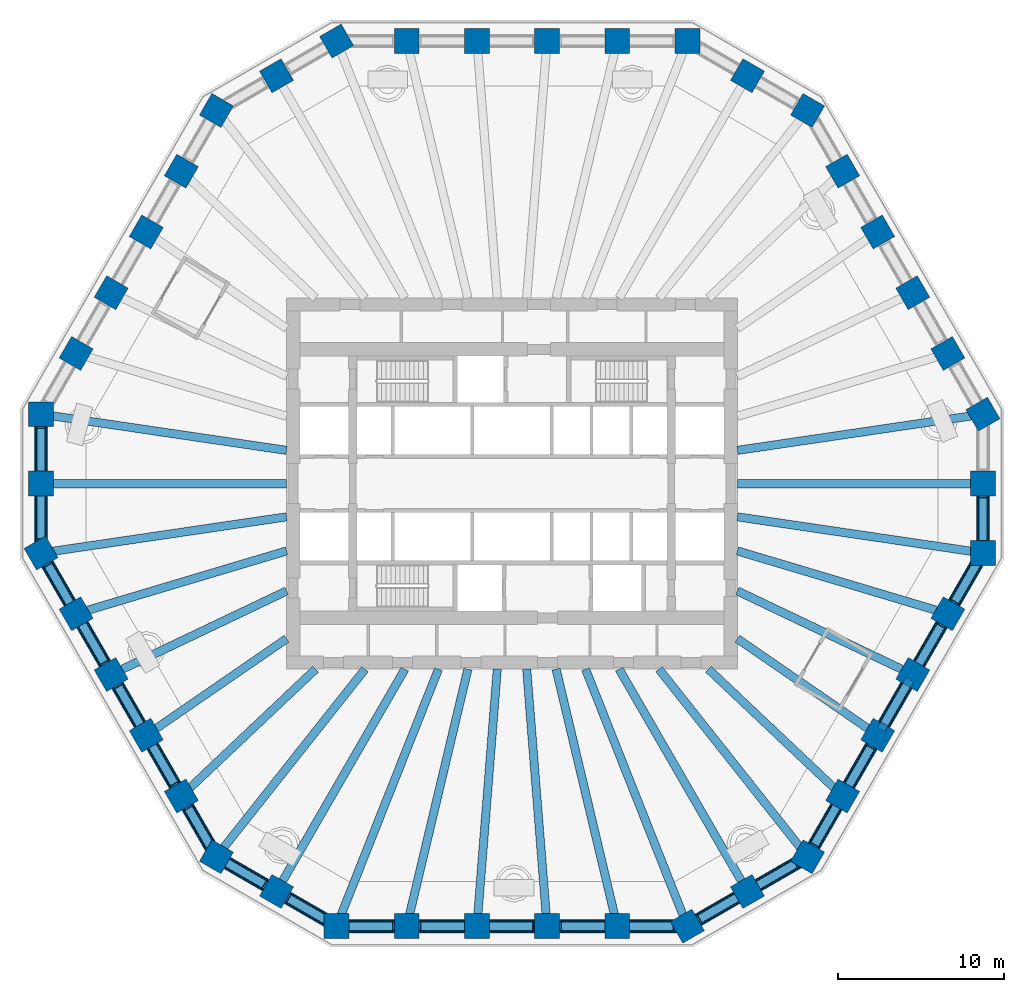
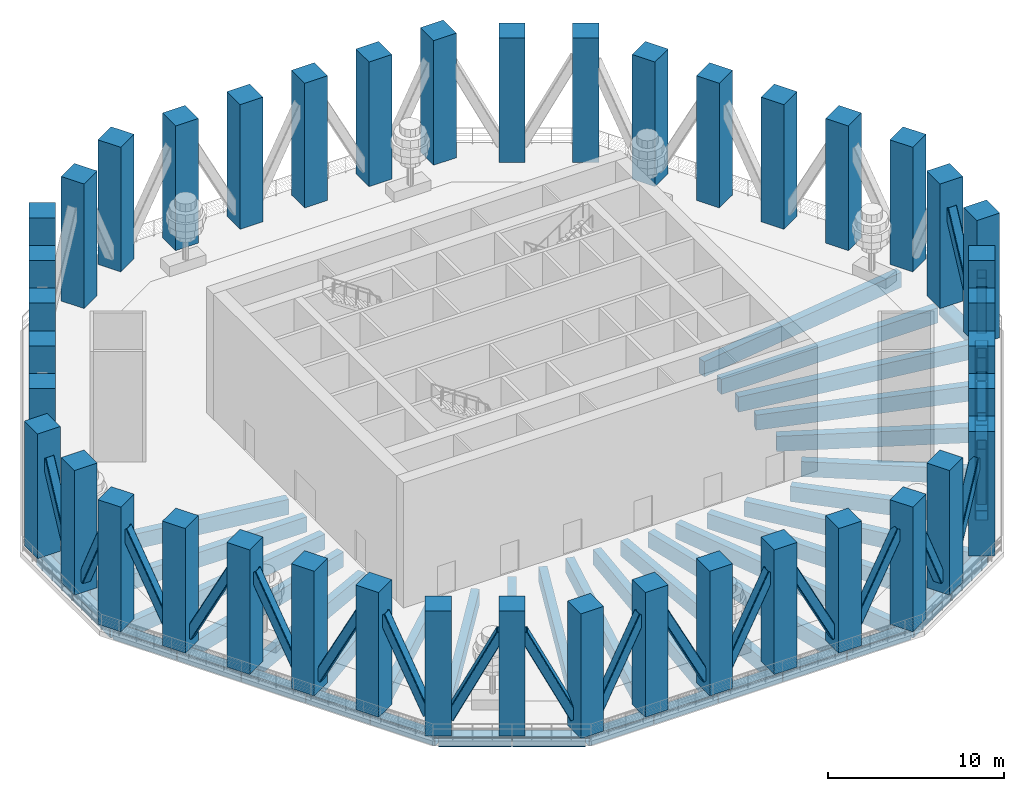
# One storey, part 1 of 10: 46 beams, 42 columns, 23 members.
"""IFC4 building model written with IfcOpenShell, lengths in metres."""

from ifc_helpers import new_model, si_unit, direction, frame, origin, origin_2d, place, context, subcontext, project, spatial, rectangle, hollow_rectangle, extrude, material, material_profile, profile_set, type_object, element, save


model = new_model("IFC4")

# Units and contexts
model_context = context("Model", 3, precision=1e-05, world=origin(), true_north=direction((0.0, 1.0)))
body_context = subcontext(model_context, "Body", "Model", "MODEL_VIEW")
ifc_project = project(units=[si_unit("LENGTHUNIT", "METRE"), si_unit("AREAUNIT", "SQUARE_METRE"), si_unit("VOLUMEUNIT", "CUBIC_METRE"), si_unit("PLANEANGLEUNIT", "RADIAN"), si_unit("MASSUNIT", "GRAM", prefix="KILO")], contexts=[model_context])

# Site, building, storey
site_placement = place(None, origin())
site = spatial("IfcSite", under=ifc_project, at=site_placement, CompositionType="ELEMENT")
building_placement = place(site_placement, origin())
building = spatial("IfcBuilding", under=site, at=building_placement, Name="Frailejon Research Tower", CompositionType="ELEMENT")
storey_placement = place(building_placement, frame((0.0, 0.0, 71.800048828125)))
storey = spatial("IfcBuildingStorey", under=building, at=storey_placement, Name="L16", CompositionType="ELEMENT", Elevation=71.800048828125)

# Columns
ifc_material_1 = material(Name="Concrete C70/85", Category="concrete")
ifc_material_profile_1 = material_profile(ifc_material_1, rectangle(XDim=1.5, YDim=1.5, at=origin_2d()), Name="Column 1500")
ifc_profile_set_1 = profile_set([ifc_material_profile_1], Name="Concrete C70/85")
column_type = type_object("IfcColumnType", Name="Column 1500", PredefinedType="COLUMN", material=ifc_profile_set_1)
for number, where, z_axis, x_axis, name in (
    (1, (28.412841796875, -4.1875, 0.0), (0.0, 0.0, 1.0), (0.0, 1.0, 0.0), "Column C01"),
    (2, (28.412841796875, 0.0, 0.0), (0.0, 0.0, 1.0), (0.0, 1.0, 0.0), "Column C02"),
    (3, (28.412841796875, 4.1875, 0.0), (0.0, 0.0, 1.0), (-0.5, 0.866025403784, 0.0), "Column C03"),
    (4, (26.296875, 7.8525390625, 0.0), (0.0, 0.0, 1.0), (-0.5, 0.866025403784, 0.0), "Column C04"),
    (5, (24.180908203125, 11.517578125, 0.0), (0.0, 0.0, 1.0), (-0.5, 0.866025403784, 0.0), "Column C05"),
    (6, (22.06494140625, 15.1826171875, 0.0), (0.0, 0.0, 1.0), (-0.5, 0.866025403784, 0.0), "Column C06"),
    (7, (19.948974609375, 18.847412109375, 0.0), (0.0, 0.0, 1.0), (-0.5, 0.866025403784, 0.0), "Column C07"),
    (8, (17.8330078125, 22.512451171875, 0.0), (0.0, 0.0, 1.0), (-0.866025403784, 0.5, 0.0), "Column C08"),
    (9, (14.206298828125, 24.606201171875, 0.0), (0.0, 0.0, 1.0), (-0.866025403784, 0.5, 0.0), "Column C09"),
    (10, (10.579833984375, 26.699951171875, 0.0), (0.0, 0.0, 1.0), (-1.0, 0.0, 0.0), "Column C10"),
    (11, (6.347900390625, 26.699951171875, 0.0), (0.0, 0.0, 1.0), (-1.0, 0.0, 0.0), "Column C11"),
    (12, (2.115966796875, 26.699951171875, 0.0), (0.0, 0.0, 1.0), (-1.0, 0.0, 0.0), "Column C12"),
    (13, (-2.115966796875, 26.699951171875, 0.0), (0.0, 0.0, 1.0), (-1.0, 0.0, 0.0), "Column C13"),
    (14, (-6.347900390625, 26.699951171875, 0.0), (0.0, 0.0, 1.0), (-1.0, 0.0, 0.0), "Column C14"),
    (15, (-10.579833984375, 26.699951171875, 0.0), (0.0, 0.0, 1.0), (-0.866025403784, -0.5, 0.0), "Column C15"),
    (16, (-14.206298828125, 24.606201171875, 0.0), (0.0, 0.0, 1.0), (-0.866025403784, -0.5, 0.0), "Column C16"),
    (17, (-17.8330078125, 22.512451171875, 0.0), (0.0, 0.0, 1.0), (-0.5, -0.866025403784, 0.0), "Column C17"),
    (18, (-19.948974609375, 18.847412109375, 0.0), (0.0, 0.0, 1.0), (-0.5, -0.866025403784, 0.0), "Column C18"),
    (19, (-22.06494140625, 15.1826171875, 0.0), (0.0, 0.0, 1.0), (-0.5, -0.866025403784, 0.0), "Column C19"),
    (20, (-24.180908203125, 11.517578125, 0.0), (0.0, 0.0, 1.0), (-0.5, -0.866025403784, 0.0), "Column C20"),
    (21, (-26.296875, 7.8525390625, 0.0), (0.0, 0.0, 1.0), (-0.5, -0.866025403784, 0.0), "Column C21"),
    (22, (-28.412841796875, 4.1875, 0.0), (0.0, 0.0, 1.0), (0.0, -1.0, 0.0), "Column C22"),
    (23, (-28.412841796875, 0.0, 0.0), (0.0, 0.0, 1.0), (0.0, -1.0, 0.0), "Column C23"),
    (24, (-28.412841796875, -4.1875, 0.0), (0.0, 0.0, 1.0), (0.5, -0.866025403784, 0.0), "Column C24"),
    (25, (-26.296875, -7.8525390625, 0.0), (0.0, 0.0, 1.0), (0.5, -0.866025403784, 0.0), "Column C25"),
    (26, (-24.180908203125, -11.517578125, 0.0), (0.0, 0.0, 1.0), (0.5, -0.866025403784, 0.0), "Column C26"),
    (27, (-22.06494140625, -15.1826171875, 0.0), (0.0, 0.0, 1.0), (0.5, -0.866025403784, 0.0), "Column C27"),
    (28, (-19.948974609375, -18.847412109375, 0.0), (0.0, 0.0, 1.0), (0.5, -0.866025403784, 0.0), "Column C28"),
    (29, (-17.8330078125, -22.512451171875, 0.0), (0.0, 0.0, 1.0), (0.866025403784, -0.5, 0.0), "Column C29"),
    (30, (-14.206298828125, -24.606201171875, 0.0), (0.0, 0.0, 1.0), (0.866025403784, -0.5, 0.0), "Column C30"),
    (31, (-10.579833984375, -26.699951171875, 0.0), (0.0, 0.0, 1.0), (1.0, 0.0, 0.0), "Column C31"),
    (32, (-6.347900390625, -26.699951171875, 0.0), (0.0, 0.0, 1.0), (1.0, 0.0, 0.0), "Column C32"),
    (33, (-2.115966796875, -26.699951171875, 0.0), (0.0, 0.0, 1.0), (1.0, 0.0, 0.0), "Column C33"),
    (34, (2.115966796875, -26.699951171875, 0.0), (0.0, 0.0, 1.0), (1.0, 0.0, 0.0), "Column C34"),
    (35, (6.347900390625, -26.699951171875, 0.0), (0.0, 0.0, 1.0), (1.0, 0.0, 0.0), "Column C35"),
    (36, (10.579833984375, -26.699951171875, 0.0), (0.0, 0.0, 1.0), (0.866025403784, 0.5, 0.0), "Column C36"),
    (37, (14.206298828125, -24.606201171875, 0.0), (0.0, 0.0, 1.0), (0.866025403784, 0.5, 0.0), "Column C37"),
    (38, (17.8330078125, -22.512451171875, 0.0), (0.0, 0.0, 1.0), (0.5, 0.866025403784, 0.0), "Column C38"),
    (39, (19.948974609375, -18.847412109375, 0.0), (0.0, 0.0, 1.0), (0.5, 0.866025403784, 0.0), "Column C39"),
    (40, (22.06494140625, -15.1826171875, 0.0), (0.0, 0.0, 1.0), (0.5, 0.866025403784, 0.0), "Column C40"),
    (41, (24.180908203125, -11.517578125, 0.0), (0.0, 0.0, 1.0), (0.5, 0.866025403784, 0.0), "Column C41"),
    (42, (26.296875, -7.8525390625, 0.0), (0.0, 0.0, 1.0), (0.5, 0.866025403784, 0.0), "Column C42"),
):
    element("IfcColumn", number, at=place(storey_placement, frame(where, z_axis=z_axis, x_axis=x_axis)), inside=storey, type_object=column_type, Name=name, PredefinedType="COLUMN", context=body_context, shape_type="SweptSolid", body=[
        extrude(rectangle(XDim=1.5, YDim=1.5, at=origin_2d()), origin(), (0.0, 0.0, 1.0), 8.64990234375),
    ])

# Beams
ifc_material_2 = material(Name="Concrete C60/75", Category="concrete")
ifc_material_profile_2 = material_profile(ifc_material_2, rectangle(XDim=0.5, YDim=1.050048828125, at=origin_2d()), Name="Girder 500x1050")
ifc_profile_set_2 = profile_set([ifc_material_profile_2], Name="Concrete C60/75")
beam_type_1 = type_object("IfcBeamType", Name="Girder 500x1050", PredefinedType="BEAM", material=ifc_profile_set_2)
beam_1_placement = place(storey_placement, frame((27.811279296875, -4.098876953125, -0.824951171875), z_axis=(-0.98931296221, 0.145807622581, 0.0), x_axis=(-0.145807622581, -0.98931296221, 0.0)))
element("IfcBeam", 43, at=beam_1_placement, inside=storey, type_object=beam_type_1, Name="Girder 500x1050", PredefinedType="BEAM", context=body_context, shape_type="SweptSolid", body=[
    extrude(rectangle(XDim=0.5, YDim=1.050048828125, at=origin_2d()), origin(), (0.0, 0.0, 1.0), 14.36474609375),
])
beam_2_placement = place(storey_placement, frame((27.812744140625, 0.0, -0.824951171875), z_axis=(-1.0, 0.0, 0.0), x_axis=(0.0, -1.0, 0.0)))
element("IfcBeam", 44, at=beam_2_placement, inside=storey, type_object=beam_type_1, Name="Girder 500x1050", PredefinedType="BEAM", context=body_context, shape_type="SweptSolid", body=[
    extrude(rectangle(XDim=0.5, YDim=1.050048828125, at=origin_2d()), origin(), (0.0, 0.0, 1.0), 14.212646484375),
])
beam_3_placement = place(storey_placement, frame((27.76318359375, 4.091796875, -0.824951171875), z_axis=(-0.989312877604, -0.145808196641, 0.0), x_axis=(0.145808196641, -0.989312877604, 0.0)))
element("IfcBeam", 45, at=beam_3_placement, inside=storey, type_object=beam_type_1, Name="Girder 500x1050", PredefinedType="BEAM", context=body_context, shape_type="SweptSolid", body=[
    extrude(rectangle(XDim=0.5, YDim=1.050048828125, at=origin_2d()), origin(), (0.0, 0.0, 1.0), 14.316162109375),
])
beam_4_placement = place(storey_placement, frame((-27.811279296875, 4.098876953125, -0.824951171875), z_axis=(0.98931296221, -0.145807622581, 0.0), x_axis=(0.145807622581, 0.98931296221, 0.0)))
element("IfcBeam", 46, at=beam_4_placement, inside=storey, type_object=beam_type_1, Name="Girder 500x1050", PredefinedType="BEAM", context=body_context, shape_type="SweptSolid", body=[
    extrude(rectangle(XDim=0.5, YDim=1.050048828125, at=origin_2d()), origin(), (0.0, 0.0, 1.0), 14.36474609375),
])
beam_5_placement = place(storey_placement, frame((-27.812744140625, 0.0, -0.824951171875), z_axis=(1.0, 0.0, 0.0), x_axis=(0.0, 1.0, 0.0)))
element("IfcBeam", 47, at=beam_5_placement, inside=storey, type_object=beam_type_1, Name="Girder 500x1050", PredefinedType="BEAM", context=body_context, shape_type="SweptSolid", body=[
    extrude(rectangle(XDim=0.5, YDim=1.050048828125, at=origin_2d()), origin(), (0.0, 0.0, 1.0), 14.212646484375),
])
beam_6_placement = place(storey_placement, frame((-27.76318359375, -4.091796875, -0.824951171875), z_axis=(0.989312877604, 0.145808196641, 0.0), x_axis=(-0.145808196641, 0.989312877604, 0.0)))
element("IfcBeam", 48, at=beam_6_placement, inside=storey, type_object=beam_type_1, Name="Girder 500x1050", PredefinedType="BEAM", context=body_context, shape_type="SweptSolid", body=[
    extrude(rectangle(XDim=0.5, YDim=1.050048828125, at=origin_2d()), origin(), (0.0, 0.0, 1.0), 14.316162109375),
])
beam_7_placement = place(storey_placement, frame((-25.701904296875, -7.6748046875, -0.824951171875), z_axis=(0.958191015444, 0.286129302802, 0.0), x_axis=(-0.286129302802, 0.958191015444, 0.0)))
element("IfcBeam", 49, at=beam_7_placement, inside=storey, type_object=beam_type_1, Name="Girder 500x1050", PredefinedType="BEAM", context=body_context, shape_type="SweptSolid", body=[
    extrude(rectangle(XDim=0.5, YDim=1.050048828125, at=origin_2d()), origin(), (0.0, 0.0, 1.0), 12.6298828125),
])
beam_8_placement = place(storey_placement, frame((-23.63720703125, -11.258544921875, -0.824951171875), z_axis=(0.902819111329, 0.430020525346, 0.0), x_axis=(-0.430020525346, 0.902819111329, 0.0)))
element("IfcBeam", 50, at=beam_8_placement, inside=storey, type_object=beam_type_1, Name="Girder 500x1050", PredefinedType="BEAM", context=body_context, shape_type="SweptSolid", body=[
    extrude(rectangle(XDim=0.5, YDim=1.050048828125, at=origin_2d()), origin(), (0.0, 0.0, 1.0), 11.117431640625),
])
beam_9_placement = place(storey_placement, frame((-21.568603515625, -14.841064453125, -0.824951171875), z_axis=(0.823809874317, 0.566866202007, 0.0), x_axis=(-0.566866202007, 0.823809874317, 0.0)))
element("IfcBeam", 51, at=beam_9_placement, inside=storey, type_object=beam_type_1, Name="Girder 500x1050", PredefinedType="BEAM", context=body_context, shape_type="SweptSolid", body=[
    extrude(rectangle(XDim=0.5, YDim=1.050048828125, at=origin_2d()), origin(), (0.0, 0.0, 1.0), 9.6728515625),
])
beam_10_placement = place(storey_placement, frame((-19.49755859375, -18.421142578125, -0.824951171875), z_axis=(0.726883069611, 0.686761241709, 0.0), x_axis=(-0.686761241709, 0.726883069611, 0.0)))
element("IfcBeam", 52, at=beam_10_placement, inside=storey, type_object=beam_type_1, Name="Girder 500x1050", PredefinedType="BEAM", context=body_context, shape_type="SweptSolid", body=[
    extrude(rectangle(XDim=0.5, YDim=1.050048828125, at=origin_2d()), origin(), (0.0, 0.0, 1.0), 10.514892578125),
])
beam_11_placement = place(storey_placement, frame((-17.455322265625, -22.03564453125, -0.824951171875), z_axis=(0.620935887758, 0.783861354638, 0.0), x_axis=(-0.783861354638, 0.620935887758, 0.0)))
element("IfcBeam", 53, at=beam_11_placement, inside=storey, type_object=beam_type_1, Name="Girder 500x1050", PredefinedType="BEAM", context=body_context, shape_type="SweptSolid", body=[
    extrude(rectangle(XDim=0.5, YDim=1.050048828125, at=origin_2d()), origin(), (0.0, 0.0, 1.0), 13.823486328125),
])
beam_12_placement = place(storey_placement, frame((-13.906494140625, -24.086669921875, -0.824951171875), z_axis=(0.500001764457, 0.866024385072, 0.0), x_axis=(-0.866024385072, 0.500001764457, 0.0)))
element("IfcBeam", 54, at=beam_12_placement, inside=storey, type_object=beam_type_1, Name="Girder 500x1050", PredefinedType="BEAM", context=body_context, shape_type="SweptSolid", body=[
    extrude(rectangle(XDim=0.5, YDim=1.050048828125, at=origin_2d()), origin(), (0.0, 0.0, 1.0), 14.88037109375),
])
beam_13_placement = place(storey_placement, frame((-10.337890625, -26.089599609375, -0.824951171875), z_axis=(0.368376797472, 0.929676575528, 0.0), x_axis=(-0.929676575528, 0.368376797472, 0.0)))
element("IfcBeam", 55, at=beam_13_placement, inside=storey, type_object=beam_type_1, Name="Girder 500x1050", PredefinedType="BEAM", context=body_context, shape_type="SweptSolid", body=[
    extrude(rectangle(XDim=0.5, YDim=1.050048828125, at=origin_2d()), origin(), (0.0, 0.0, 1.0), 16.015869140625),
])
beam_14_placement = place(storey_placement, frame((-6.204345703125, -26.095947265625, -0.824951171875), z_axis=(0.231301473426, 0.972882124613, 0.0), x_axis=(-0.972882124613, 0.231301473426, 0.0)))
element("IfcBeam", 56, at=beam_14_placement, inside=storey, type_object=beam_type_1, Name="Girder 500x1050", PredefinedType="BEAM", context=body_context, shape_type="SweptSolid", body=[
    extrude(rectangle(XDim=0.5, YDim=1.050048828125, at=origin_2d()), origin(), (0.0, 0.0, 1.0), 15.311279296875),
])
for number, where, z_axis, x_axis, name in (
    (57, (-2.068359375, -26.099609375, -0.824951171875), (0.078993399407, 0.996875139047, 0.0), (-0.996875139047, 0.078993399407, 0.0), "Girder 500x1050"),
    (58, (2.068359375, -26.099609375, -0.824951171875), (-0.078993399407, 0.996875139047, 0.0), (-0.996875139047, -0.078993399407, 0.0), "Girder 500x1050"),
):
    element("IfcBeam", number, at=place(storey_placement, frame(where, z_axis=z_axis, x_axis=x_axis)), inside=storey, type_object=beam_type_1, Name=name, PredefinedType="BEAM", context=body_context, shape_type="SweptSolid", body=[
        extrude(rectangle(XDim=0.5, YDim=1.050048828125, at=origin_2d()), origin(), (0.0, 0.0, 1.0), 14.9462890625),
    ])
beam_15_placement = place(storey_placement, frame((6.204345703125, -26.095947265625, -0.824951171875), z_axis=(-0.231301473426, 0.972882124613, 0.0), x_axis=(-0.972882124613, -0.231301473426, 0.0)))
element("IfcBeam", 59, at=beam_15_placement, inside=storey, type_object=beam_type_1, Name="Girder 500x1050", PredefinedType="BEAM", context=body_context, shape_type="SweptSolid", body=[
    extrude(rectangle(XDim=0.5, YDim=1.050048828125, at=origin_2d()), origin(), (0.0, 0.0, 1.0), 15.311279296875),
])
beam_16_placement = place(storey_placement, frame((10.35595703125, -26.134765625, -0.824951171875), z_axis=(-0.368385929669, 0.929672956916, 0.0), x_axis=(-0.929672956916, -0.368385929669, 0.0)))
element("IfcBeam", 60, at=beam_16_placement, inside=storey, type_object=beam_type_1, Name="Girder 500x1050", PredefinedType="BEAM", context=body_context, shape_type="SweptSolid", body=[
    extrude(rectangle(XDim=0.5, YDim=1.050048828125, at=origin_2d()), origin(), (0.0, 0.0, 1.0), 16.064697265625),
])
beam_17_placement = place(storey_placement, frame((13.906494140625, -24.086669921875, -0.824951171875), z_axis=(-0.500001764457, 0.866024385072, 0.0), x_axis=(-0.866024385072, -0.500001764457, 0.0)))
element("IfcBeam", 61, at=beam_17_placement, inside=storey, type_object=beam_type_1, Name="Girder 500x1050", PredefinedType="BEAM", context=body_context, shape_type="SweptSolid", body=[
    extrude(rectangle(XDim=0.5, YDim=1.050048828125, at=origin_2d()), origin(), (0.0, 0.0, 1.0), 14.88037109375),
])
beam_18_placement = place(storey_placement, frame((17.425048828125, -21.99755859375, -0.824951171875), z_axis=(-0.620931264057, 0.783865017281, 0.0), x_axis=(-0.783865017281, -0.620931264057, 0.0)))
element("IfcBeam", 62, at=beam_18_placement, inside=storey, type_object=beam_type_1, Name="Girder 500x1050", PredefinedType="BEAM", context=body_context, shape_type="SweptSolid", body=[
    extrude(rectangle(XDim=0.5, YDim=1.050048828125, at=origin_2d()), origin(), (0.0, 0.0, 1.0), 13.77490234375),
])
beam_19_placement = place(storey_placement, frame((19.49755859375, -18.421142578125, -0.824951171875), z_axis=(-0.726883069611, 0.686761241709, 0.0), x_axis=(-0.686761241709, -0.726883069611, 0.0)))
element("IfcBeam", 63, at=beam_19_placement, inside=storey, type_object=beam_type_1, Name="Girder 500x1050", PredefinedType="BEAM", context=body_context, shape_type="SweptSolid", body=[
    extrude(rectangle(XDim=0.5, YDim=1.050048828125, at=origin_2d()), origin(), (0.0, 0.0, 1.0), 10.514892578125),
])
beam_20_placement = place(storey_placement, frame((21.568603515625, -14.841064453125, -0.824951171875), z_axis=(-0.823809874317, 0.566866202007, 0.0), x_axis=(-0.566866202007, -0.823809874317, 0.0)))
element("IfcBeam", 64, at=beam_20_placement, inside=storey, type_object=beam_type_1, Name="Girder 500x1050", PredefinedType="BEAM", context=body_context, shape_type="SweptSolid", body=[
    extrude(rectangle(XDim=0.5, YDim=1.050048828125, at=origin_2d()), origin(), (0.0, 0.0, 1.0), 9.6728515625),
])
beam_21_placement = place(storey_placement, frame((23.63720703125, -11.258544921875, -0.824951171875), z_axis=(-0.902819111329, 0.430020525346, 0.0), x_axis=(-0.430020525346, -0.902819111329, 0.0)))
element("IfcBeam", 65, at=beam_21_placement, inside=storey, type_object=beam_type_1, Name="Girder 500x1050", PredefinedType="BEAM", context=body_context, shape_type="SweptSolid", body=[
    extrude(rectangle(XDim=0.5, YDim=1.050048828125, at=origin_2d()), origin(), (0.0, 0.0, 1.0), 11.117431640625),
])
beam_22_placement = place(storey_placement, frame((25.701904296875, -7.6748046875, -0.824951171875), z_axis=(-0.958191015444, 0.286129302802, 0.0), x_axis=(-0.286129302802, -0.958191015444, 0.0)))
element("IfcBeam", 66, at=beam_22_placement, inside=storey, type_object=beam_type_1, Name="Girder 500x1050", PredefinedType="BEAM", context=body_context, shape_type="SweptSolid", body=[
    extrude(rectangle(XDim=0.5, YDim=1.050048828125, at=origin_2d()), origin(), (0.0, 0.0, 1.0), 12.6298828125),
])
ifc_material_3 = material(Name="Steel S355", Category="steel")
ifc_material_profile_3 = material_profile(ifc_material_3, hollow_rectangle(XDim=0.800048828125, YDim=0.699951171875, WallThickness=0.050048828125, InnerFilletRadius=0.050048828125, OuterFilletRadius=0.10009765625, at=origin_2d()), Name="Ring chord")
ifc_profile_set_3 = profile_set([ifc_material_profile_3], Name="Steel S355")
beam_type_2 = type_object("IfcBeamType", Name="Ring chord", PredefinedType="BEAM", material=ifc_profile_set_3)
for number, where, z_axis, x_axis, name in (
    (67, (28.412841796875, -4.16748046875, -0.699951171875), (0.0, 1.0, 0.0), (-1.0, 0.0, 0.0), "Ring chord"),
    (68, (-28.412841796875, 4.16748046875, -0.699951171875), (0.0, -1.0, 0.0), (1.0, 0.0, 0.0), "Ring chord"),
    (69, (-28.412841796875, -0.02001953125, -0.699951171875), (0.0, -1.0, 0.0), (1.0, 0.0, 0.0), "Ring chord"),
):
    element("IfcBeam", number, at=place(storey_placement, frame(where, z_axis=z_axis, x_axis=x_axis)), inside=storey, type_object=beam_type_2, Name=name, PredefinedType="BEAM", context=body_context, shape_type="SweptSolid", body=[
        extrude(hollow_rectangle(XDim=0.800048828125, YDim=0.699951171875, WallThickness=0.050048828125, InnerFilletRadius=0.050048828125, OuterFilletRadius=0.10009765625, at=origin_2d()), origin(), (0.0, 0.0, 1.0), 4.1474609375),
    ])
for number, where, z_axis, x_axis, name in (
    (70, (-28.40283203125, -4.204833984375, -0.699951171875), (0.499991329354, -0.866030409726, 0.0), (0.866030409726, 0.499991329354, 0.0), "Ring chord"),
    (71, (-26.286865234375, -7.869873046875, -0.699951171875), (0.499991329354, -0.866030409726, 0.0), (0.866030409726, 0.499991329354, 0.0), "Ring chord"),
    (72, (-24.1708984375, -11.534912109375, -0.699951171875), (0.499991329354, -0.866030409726, 0.0), (0.866030409726, 0.499991329354, 0.0), "Ring chord"),
    (73, (-22.054931640625, -15.19970703125, -0.699951171875), (0.499991329354, -0.866030409726, 0.0), (0.866030409726, 0.499991329354, 0.0), "Ring chord"),
    (74, (-19.93896484375, -18.86474609375, -0.699951171875), (0.499991329354, -0.866030409726, 0.0), (0.866030409726, 0.499991329354, 0.0), "Ring chord"),
):
    element("IfcBeam", number, at=place(storey_placement, frame(where, z_axis=z_axis, x_axis=x_axis)), inside=storey, type_object=beam_type_2, Name=name, PredefinedType="BEAM", context=body_context, shape_type="SweptSolid", body=[
        extrude(hollow_rectangle(XDim=0.800048828125, YDim=0.699951171875, WallThickness=0.050048828125, InnerFilletRadius=0.050048828125, OuterFilletRadius=0.10009765625, at=origin_2d()), origin(), (0.0, 0.0, 1.0), 4.19189453125),
    ])
for number, where, z_axis, x_axis, name in (
    (75, (-17.815673828125, -22.5224609375, -0.699951171875), (0.866039536849, -0.499975520016, 0.0), (0.499975520016, 0.866039536849, 0.0), "Ring chord"),
    (76, (-14.189208984375, -24.6162109375, -0.699951171875), (0.866039536849, -0.499975520016, 0.0), (0.499975520016, 0.866039536849, 0.0), "Ring chord"),
):
    element("IfcBeam", number, at=place(storey_placement, frame(where, z_axis=z_axis, x_axis=x_axis)), inside=storey, type_object=beam_type_2, Name=name, PredefinedType="BEAM", context=body_context, shape_type="SweptSolid", body=[
        extrude(hollow_rectangle(XDim=0.800048828125, YDim=0.699951171875, WallThickness=0.050048828125, InnerFilletRadius=0.050048828125, OuterFilletRadius=0.10009765625, at=origin_2d()), origin(), (0.0, 0.0, 1.0), 4.147705078125),
    ])
for number, where, z_axis, x_axis, name in (
    (77, (-10.559814453125, -26.699951171875, -0.699951171875), (1.0, 0.0, 0.0), (0.0, 1.0, 0.0), "Ring chord"),
    (78, (-6.327880859375, -26.699951171875, -0.699951171875), (1.0, 0.0, 0.0), (0.0, 1.0, 0.0), "Ring chord"),
    (79, (-2.095947265625, -26.699951171875, -0.699951171875), (1.0, 0.0, 0.0), (0.0, 1.0, 0.0), "Ring chord"),
    (80, (2.135986328125, -26.699951171875, -0.699951171875), (1.0, 0.0, 0.0), (0.0, 1.0, 0.0), "Ring chord"),
    (81, (6.367919921875, -26.699951171875, -0.699951171875), (1.0, 0.0, 0.0), (0.0, 1.0, 0.0), "Ring chord"),
):
    element("IfcBeam", number, at=place(storey_placement, frame(where, z_axis=z_axis, x_axis=x_axis)), inside=storey, type_object=beam_type_2, Name=name, PredefinedType="BEAM", context=body_context, shape_type="SweptSolid", body=[
        extrude(hollow_rectangle(XDim=0.800048828125, YDim=0.699951171875, WallThickness=0.050048828125, InnerFilletRadius=0.050048828125, OuterFilletRadius=0.10009765625, at=origin_2d()), origin(), (0.0, 0.0, 1.0), 4.19189453125),
    ])
for number, where, z_axis, x_axis, name in (
    (82, (10.59716796875, -26.68994140625, -0.699951171875), (0.866039536849, 0.499975520016, 0.0), (-0.499975520016, 0.866039536849, 0.0), "Ring chord"),
    (83, (14.2236328125, -24.59619140625, -0.699951171875), (0.866039536849, 0.499975520016, 0.0), (-0.499975520016, 0.866039536849, 0.0), "Ring chord"),
):
    element("IfcBeam", number, at=place(storey_placement, frame(where, z_axis=z_axis, x_axis=x_axis)), inside=storey, type_object=beam_type_2, Name=name, PredefinedType="BEAM", context=body_context, shape_type="SweptSolid", body=[
        extrude(hollow_rectangle(XDim=0.800048828125, YDim=0.699951171875, WallThickness=0.050048828125, InnerFilletRadius=0.050048828125, OuterFilletRadius=0.10009765625, at=origin_2d()), origin(), (0.0, 0.0, 1.0), 4.147705078125),
    ])
for number, where, z_axis, x_axis, name in (
    (84, (17.843017578125, -22.4951171875, -0.699951171875), (0.499991329354, 0.866030409726, 0.0), (-0.866030409726, 0.499991329354, 0.0), "Ring chord"),
    (85, (19.958984375, -18.830078125, -0.699951171875), (0.499991329354, 0.866030409726, 0.0), (-0.866030409726, 0.499991329354, 0.0), "Ring chord"),
    (86, (22.074951171875, -15.165283203125, -0.699951171875), (0.499991329354, 0.866030409726, 0.0), (-0.866030409726, 0.499991329354, 0.0), "Ring chord"),
    (87, (24.19091796875, -11.500244140625, -0.699951171875), (0.499991329354, 0.866030409726, 0.0), (-0.866030409726, 0.499991329354, 0.0), "Ring chord"),
    (88, (26.306884765625, -7.835205078125, -0.699951171875), (0.499991329354, 0.866030409726, 0.0), (-0.866030409726, 0.499991329354, 0.0), "Ring chord"),
):
    element("IfcBeam", number, at=place(storey_placement, frame(where, z_axis=z_axis, x_axis=x_axis)), inside=storey, type_object=beam_type_2, Name=name, PredefinedType="BEAM", context=body_context, shape_type="SweptSolid", body=[
        extrude(hollow_rectangle(XDim=0.800048828125, YDim=0.699951171875, WallThickness=0.050048828125, InnerFilletRadius=0.050048828125, OuterFilletRadius=0.10009765625, at=origin_2d()), origin(), (0.0, 0.0, 1.0), 4.19189453125),
    ])

# Members
ifc_material_4 = material(Name="Steel S355", Category="steel")
ifc_material_profile_4 = material_profile(ifc_material_4, hollow_rectangle(XDim=0.60009765625, YDim=0.60009765625, WallThickness=0.0400390625, InnerFilletRadius=0.0400390625, OuterFilletRadius=0.080078125, at=origin_2d()), Name="Ring diagonal 9000")
ifc_profile_set_4 = profile_set([ifc_material_profile_4], Name="Steel S355")
member_type = type_object("IfcMemberType", Name="Ring diagonal 9000", PredefinedType="BRACE", material=ifc_profile_set_4)
for number, where, z_axis, x_axis, name in (
    (89, (28.412841796875, -3.587646484375, 0.839111328125), (0.0, 0.450435182434, 0.892809132136), (-1.0, 0.0, 0.0), "Ring truss diagonal"),
    (90, (-28.412841796875, 3.587646484375, 6.7607421875), (0.0, -0.450435182434, -0.892809132136), (1.0, 0.0, 0.0), "Ring truss diagonal"),
    (91, (-28.412841796875, -0.60009765625, 0.839111328125), (0.0, -0.450435182434, 0.892809132136), (1.0, 0.0, 0.0), "Ring truss diagonal"),
):
    element("IfcMember", number, at=place(storey_placement, frame(where, z_axis=z_axis, x_axis=x_axis)), inside=storey, type_object=member_type, Name=name, PredefinedType="BRACE", context=body_context, shape_type="SweptSolid", body=[
        extrude(hollow_rectangle(XDim=0.60009765625, YDim=0.60009765625, WallThickness=0.0400390625, InnerFilletRadius=0.0400390625, OuterFilletRadius=0.080078125, at=origin_2d()), origin(), (0.0, 0.0, 1.0), 6.632568359375),
    ])
for number, where, z_axis, x_axis, name in (
    (92, (-28.11279296875, -4.707275390625, 6.773193359375), (0.22713638341, -0.393373881412, -0.890879370484), (0.866004557827, 0.500036104519, 0.0), "Ring truss diagonal"),
    (93, (-25.996826171875, -8.3720703125, 0.82666015625), (0.227101694055, -0.39337714923, 0.890886771156), (0.866039425468, 0.499975712946, 0.0), "Ring truss diagonal"),
    (94, (-23.880859375, -12.037109375, 6.773193359375), (0.227101694055, -0.39337714923, -0.890886771156), (0.866039425468, 0.499975712946, 0.0), "Ring truss diagonal"),
    (95, (-21.764892578125, -15.7021484375, 0.82666015625), (0.22713638341, -0.393373881412, 0.890879370484), (0.866004557827, 0.500036104519, 0.0), "Ring truss diagonal"),
    (96, (-19.64892578125, -19.3671875, 6.773193359375), (0.22713638341, -0.393373881412, -0.890879370484), (0.866004557827, 0.500036104519, 0.0), "Ring truss diagonal"),
):
    element("IfcMember", number, at=place(storey_placement, frame(where, z_axis=z_axis, x_axis=x_axis)), inside=storey, type_object=member_type, Name=name, PredefinedType="BRACE", context=body_context, shape_type="SweptSolid", body=[
        extrude(hollow_rectangle(XDim=0.60009765625, YDim=0.60009765625, WallThickness=0.0400390625, InnerFilletRadius=0.0400390625, OuterFilletRadius=0.080078125, at=origin_2d()), origin(), (0.0, 0.0, 1.0), 6.6748046875),
    ])
for number, where, z_axis, x_axis, name in (
    (97, (-17.313232421875, -22.8125, 0.839111328125), (0.390072673499, -0.225201907754, 0.892819920328), (0.499988917992, 0.86603180189, 0.0), "Ring truss diagonal"),
    (98, (-13.686767578125, -24.90625, 6.7607421875), (0.390072673499, -0.225201907754, -0.892819920328), (0.499988917992, 0.86603180189, 0.0), "Ring truss diagonal"),
):
    element("IfcMember", number, at=place(storey_placement, frame(where, z_axis=z_axis, x_axis=x_axis)), inside=storey, type_object=member_type, Name=name, PredefinedType="BRACE", context=body_context, shape_type="SweptSolid", body=[
        extrude(hollow_rectangle(XDim=0.60009765625, YDim=0.60009765625, WallThickness=0.0400390625, InnerFilletRadius=0.0400390625, OuterFilletRadius=0.080078125, at=origin_2d()), origin(), (0.0, 0.0, 1.0), 6.632568359375),
    ])
for number, where, z_axis, x_axis, name in (
    (99, (-9.97998046875, -26.699951171875, 0.82666015625), (0.454236969954, 0.0, 0.890880898396), (0.0, 1.0, 0.0), "Ring truss diagonal"),
    (100, (-5.747802734375, -26.699951171875, 6.773193359375), (0.454207940026, 0.0, -0.890895699405), (0.0, 1.0, 0.0), "Ring truss diagonal"),
):
    element("IfcMember", number, at=place(storey_placement, frame(where, z_axis=z_axis, x_axis=x_axis)), inside=storey, type_object=member_type, Name=name, PredefinedType="BRACE", context=body_context, shape_type="SweptSolid", body=[
        extrude(hollow_rectangle(XDim=0.60009765625, YDim=0.60009765625, WallThickness=0.0400390625, InnerFilletRadius=0.0400390625, OuterFilletRadius=0.080078125, at=origin_2d()), origin(), (0.0, 0.0, 1.0), 6.6748046875),
    ])
member_1_placement = place(storey_placement, frame((-1.51611328125, -26.699951171875, 0.82666015625), z_axis=(0.454265998436, 0.0, 0.890866096933), x_axis=(0.0, 1.0, 0.0)))
element("IfcMember", 101, at=member_1_placement, inside=storey, type_object=member_type, Name="Ring truss diagonal", PredefinedType="BRACE", context=body_context, shape_type="SweptSolid", body=[
    extrude(hollow_rectangle(XDim=0.60009765625, YDim=0.60009765625, WallThickness=0.0400390625, InnerFilletRadius=0.0400390625, OuterFilletRadius=0.080078125, at=origin_2d()), origin(), (0.0, 0.0, 1.0), 6.675048828125),
])
for number, where, z_axis, x_axis, name in (
    (102, (2.716064453125, -26.699951171875, 6.773193359375), (0.454207940026, 0.0, -0.890895699405), (0.0, 1.0, 0.0), "Ring truss diagonal"),
    (103, (6.947998046875, -26.699951171875, 0.82666015625), (0.454236969954, 0.0, 0.890880898396), (0.0, 1.0, 0.0), "Ring truss diagonal"),
):
    element("IfcMember", number, at=place(storey_placement, frame(where, z_axis=z_axis, x_axis=x_axis)), inside=storey, type_object=member_type, Name=name, PredefinedType="BRACE", context=body_context, shape_type="SweptSolid", body=[
        extrude(hollow_rectangle(XDim=0.60009765625, YDim=0.60009765625, WallThickness=0.0400390625, InnerFilletRadius=0.0400390625, OuterFilletRadius=0.080078125, at=origin_2d()), origin(), (0.0, 0.0, 1.0), 6.6748046875),
    ])
for number, where, z_axis, x_axis, name in (
    (104, (11.099609375, -26.39990234375, 6.7607421875), (0.390072673499, 0.225201907754, -0.892819920328), (-0.499988917992, 0.86603180189, 0.0), "Ring truss diagonal"),
    (105, (14.72607421875, -24.30615234375, 0.839111328125), (0.390072673499, 0.225201907754, 0.892819920328), (-0.499988917992, 0.86603180189, 0.0), "Ring truss diagonal"),
):
    element("IfcMember", number, at=place(storey_placement, frame(where, z_axis=z_axis, x_axis=x_axis)), inside=storey, type_object=member_type, Name=name, PredefinedType="BRACE", context=body_context, shape_type="SweptSolid", body=[
        extrude(hollow_rectangle(XDim=0.60009765625, YDim=0.60009765625, WallThickness=0.0400390625, InnerFilletRadius=0.0400390625, OuterFilletRadius=0.080078125, at=origin_2d()), origin(), (0.0, 0.0, 1.0), 6.632568359375),
    ])
for number, where, z_axis, x_axis, name in (
    (106, (18.1328125, -21.992919921875, 6.773193359375), (0.22713638341, 0.393373881412, -0.890879370484), (-0.866004557827, 0.500036104519, 0.0), "Ring truss diagonal"),
    (107, (20.248779296875, -18.327880859375, 0.82666015625), (0.22713638341, 0.393373881412, 0.890879370484), (-0.866004557827, 0.500036104519, 0.0), "Ring truss diagonal"),
):
    element("IfcMember", number, at=place(storey_placement, frame(where, z_axis=z_axis, x_axis=x_axis)), inside=storey, type_object=member_type, Name=name, PredefinedType="BRACE", context=body_context, shape_type="SweptSolid", body=[
        extrude(hollow_rectangle(XDim=0.60009765625, YDim=0.60009765625, WallThickness=0.0400390625, InnerFilletRadius=0.0400390625, OuterFilletRadius=0.080078125, at=origin_2d()), origin(), (0.0, 0.0, 1.0), 6.6748046875),
    ])
member_2_placement = place(storey_placement, frame((22.364990234375, -14.662841796875, 2.800048828125), z_axis=(0.499975712946, 0.866039425468, 0.0), x_axis=(-0.866039425468, 0.499975712946, 0.0)))
element("IfcMember", 108, at=member_2_placement, inside=storey, type_object=member_type, Name="Ring truss door-head strut", PredefinedType="BRACE", context=body_context, shape_type="SweptSolid", body=[
    extrude(hollow_rectangle(XDim=0.60009765625, YDim=0.60009765625, WallThickness=0.0400390625, InnerFilletRadius=0.0400390625, OuterFilletRadius=0.080078125, at=origin_2d()), origin(), (0.0, 0.0, 1.0), 3.031982421875),
])
member_3_placement = place(storey_placement, frame((22.364990234375, -14.662841796875, 7.2197265625), z_axis=(0.31742073029, 0.549824441016, -0.772617087595), x_axis=(-0.866039425468, 0.499975712946, 0.0)))
element("IfcMember", 109, at=member_3_placement, inside=storey, type_object=member_type, Name="Ring truss diagonal", PredefinedType="BRACE", context=body_context, shape_type="SweptSolid", body=[
    extrude(hollow_rectangle(XDim=0.60009765625, YDim=0.60009765625, WallThickness=0.0400390625, InnerFilletRadius=0.0400390625, OuterFilletRadius=0.080078125, at=origin_2d()), origin(), (0.0, 0.0, 1.0), 4.775634765625),
])
for number, where, z_axis, x_axis, name in (
    (110, (24.48095703125, -10.997802734375, 0.82666015625), (0.227101694055, 0.39337714923, 0.890886771156), (-0.866039425468, 0.499975712946, 0.0), "Ring truss diagonal"),
    (111, (26.5966796875, -7.3330078125, 6.773193359375), (0.22713638341, 0.393373881412, -0.890879370484), (-0.866004557827, 0.500036104519, 0.0), "Ring truss diagonal"),
):
    element("IfcMember", number, at=place(storey_placement, frame(where, z_axis=z_axis, x_axis=x_axis)), inside=storey, type_object=member_type, Name=name, PredefinedType="BRACE", context=body_context, shape_type="SweptSolid", body=[
        extrude(hollow_rectangle(XDim=0.60009765625, YDim=0.60009765625, WallThickness=0.0400390625, InnerFilletRadius=0.0400390625, OuterFilletRadius=0.080078125, at=origin_2d()), origin(), (0.0, 0.0, 1.0), 6.6748046875),
    ])

save(model, "model.ifc")
